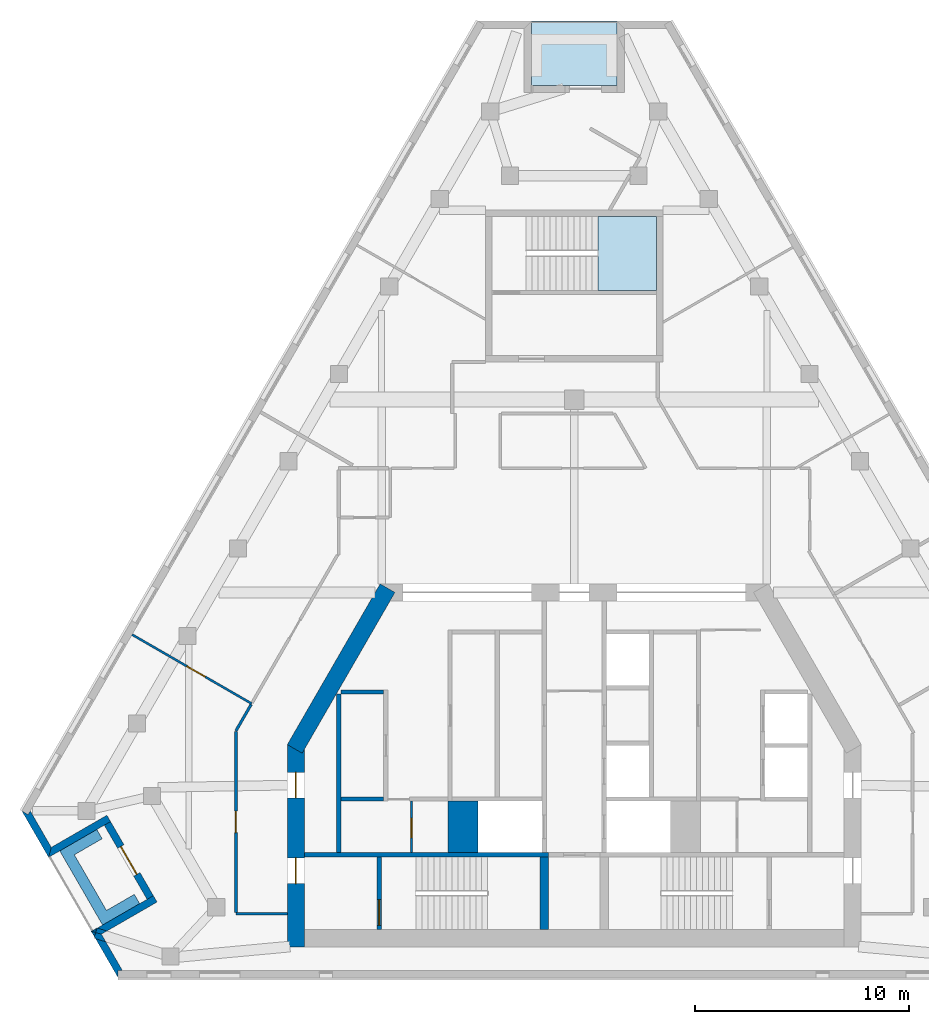
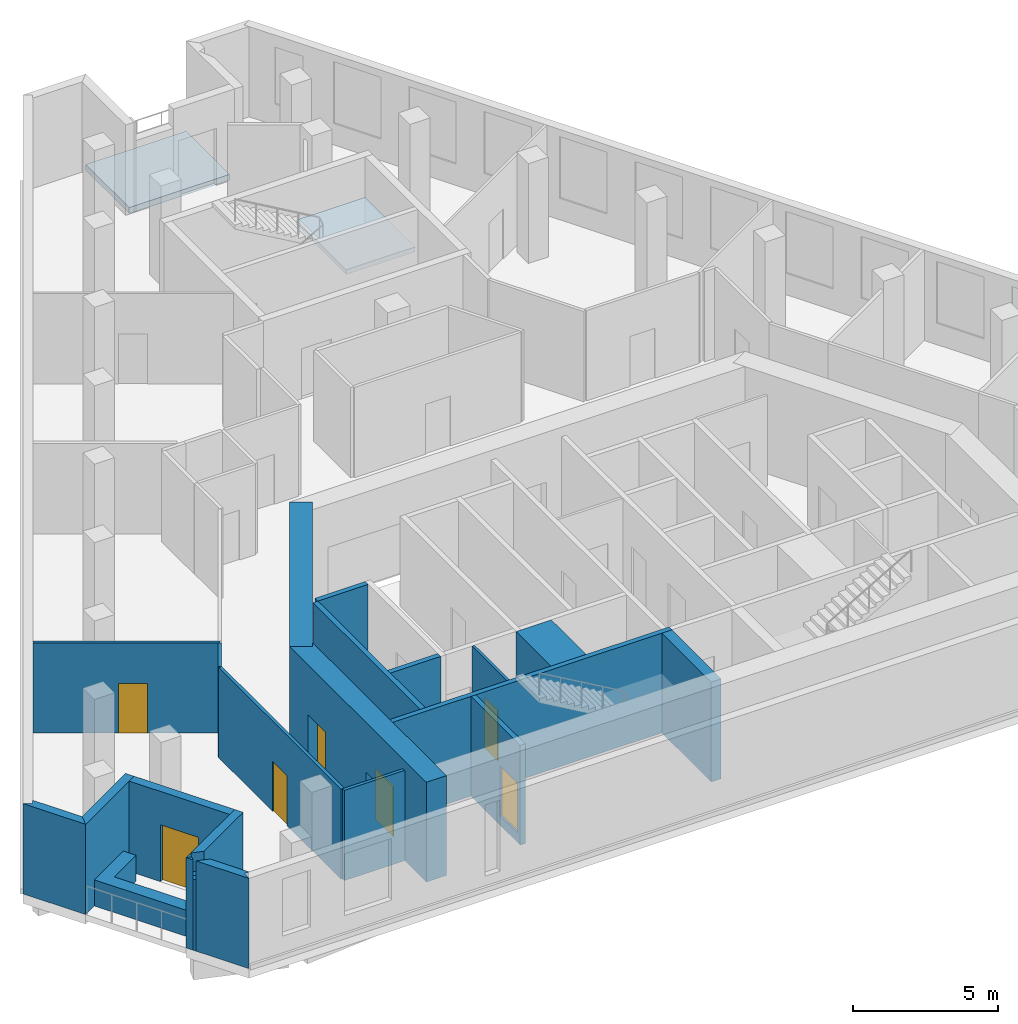
# One storey, part 2 of 8: 24 walls, 7 doors, 2 slabs, 7 openings, 1 element without a shape of its own.
"""IFC4 building model written with IfcOpenShell, lengths in metres."""

from ifc_helpers import new_model, si_unit, direction, frame, frame_2d, origin, place, context, subcontext, project, spatial, polyline, rectangle, outline, extrude, material, layer, layer_set, type_object, element, fill, aggregate, save


model = new_model("IFC4")

# Units and contexts
model_context = context("Model", 3, precision=1e-05, world=origin(), true_north=direction((0.0, 1.0)))
body_context = subcontext(model_context, "Body", "Model", "MODEL_VIEW")
ifc_project = project(units=[si_unit("LENGTHUNIT", "METRE"), si_unit("AREAUNIT", "SQUARE_METRE"), si_unit("VOLUMEUNIT", "CUBIC_METRE"), si_unit("PLANEANGLEUNIT", "RADIAN"), si_unit("MASSUNIT", "GRAM", prefix="KILO")], contexts=[model_context])

# Site, building, storey
site_placement = place(None, origin())
site = spatial("IfcSite", under=ifc_project, at=site_placement, CompositionType="ELEMENT")
building_placement = place(site_placement, origin())
building = spatial("IfcBuilding", under=site, at=building_placement, Name="Fogline Exchange Tower", CompositionType="ELEMENT")
storey_placement = place(building_placement, frame((0.0, 0.0, 266.699951171875)))
storey = spatial("IfcBuildingStorey", under=building, at=storey_placement, Name="L60", CompositionType="ELEMENT", Elevation=266.699951171875)

# Slab
ifc_material_1 = material(Name="Concrete C40", Category="concrete")
ifc_layer_1 = layer(ifc_material_1, 0.25)
ifc_layer_set_1 = layer_set([ifc_layer_1], Name="DK1")
slab_type_1 = type_object("IfcSlabType", Name="DK1", PredefinedType="FLOOR", material=ifc_layer_set_1)
slab_1_placement = place(storey_placement, frame((0.0, 0.0, -0.25)))
element("IfcSlab", 1, at=slab_1_placement, inside=storey, type_object=slab_type_1, Name="Balcony L60 N", PredefinedType="FLOOR", context=body_context, shape_type="SweptSolid", body=[
    extrude(outline(polyline([(2.0, 44.681640625), (-2.0, 44.681640625), (-2.0, 41.681640625), (2.0, 41.681640625), (2.0, 44.681640625)])), origin(), (0.0, 0.0, 1.0), 0.25),
])

# Stair, slab
stair_type = type_object("IfcStairType", Name="STR26-1615", PredefinedType="HALF_TURN_STAIR", material=ifc_material_1)
stair_placement = place(storey_placement, origin())
stair = element("IfcStair", 2, at=stair_placement, inside=storey, type_object=stair_type, Name="Stair ST3", PredefinedType="HALF_TURN_STAIR")
ifc_layer_2 = layer(ifc_material_1, 0.199951171875)
ifc_layer_set_2 = layer_set([ifc_layer_2], Name="SL200")
slab_type_2 = type_object("IfcSlabType", Name="SL200", PredefinedType="LANDING", material=ifc_layer_set_2)
slab_2_placement = place(storey_placement, frame((0.0, 0.0, 1.900146484375)))
slab_2 = element("IfcSlab", 3, at=slab_2_placement, type_object=slab_type_2, Name="ST3 landing 1", PredefinedType="LANDING", context=body_context, shape_type="SweptSolid", body=[
    extrude(outline(polyline([(1.110107421875, 32.10693359375), (3.85009765625, 32.10693359375), (3.85009765625, 35.556884765625), (1.110107421875, 35.556884765625), (1.110107421875, 32.10693359375)])), origin(), (0.0, 0.0, 1.0), 0.199951171875),
])
aggregate(stair, [slab_2])

# Wall, opening, door
ifc_material_2 = material(Name="Blockwork partition", Category="masonry")
ifc_layer_3 = layer(ifc_material_2, 0.10009765625)
ifc_layer_set_3 = layer_set([ifc_layer_3], Name="CW10")
wall_type_1 = type_object("IfcWallType", Name="CW10", PredefinedType="PARTITIONING", material=ifc_layer_set_3)
wall_1_placement = place(storey_placement, frame((-7.60009765625, 5.85009765625, 0.0), z_axis=(0.0, 0.0, 1.0), x_axis=(0.0, 1.0, 0.0)))
wall_1 = element("IfcWall", 4, at=wall_1_placement, inside=storey, type_object=wall_type_1, Name="WC partition", PredefinedType="PARTITIONING", context=body_context, shape_type="SweptSolid", body=[
    extrude(rectangle(XDim=2.39990234375, YDim=0.10009765625, at=frame_2d((1.199951171875, 0.0))), origin(), (0.0, 0.0, 1.0), 3.800048828125),
])
opening_1_placement = place(wall_1_placement, frame((0.699951171875, 0.0, 0.0)))
opening_1 = element("IfcOpeningElement", 5, at=opening_1_placement, cuts=wall_1, Name="Opening T19-C008", PredefinedType="OPENING", context=body_context, shape_type="SweptSolid", body=[
    extrude(rectangle(XDim=0.89990234375, YDim=2.10009765625, at=frame_2d((0.449951171875, 1.050048828125))), frame((0.0, 0.06005859375, 0.0), z_axis=(0.0, -1.0, 0.0), x_axis=(1.0, 0.0, 0.0)), (0.0, 0.0, 1.0), 0.1201171875),
])
ifc_material_3 = material(Name="Steel and timber fire door", Category="steel")
door_type_1 = type_object("IfcDoorType", Name="D-CS1", OperationType="SINGLE_SWING_RIGHT", PredefinedType="DOOR", material=ifc_material_3)
door_1_placement = place(opening_1_placement, frame((0.89990234375, 0.0, 0.0), z_axis=(0.0, 0.0, 1.0), x_axis=(-1.0, 0.0, 0.0)))
door_1 = element("IfcDoor", 6, at=door_1_placement, inside=storey, type_object=door_type_1, Name="Door to Cleaner's Store", OperationType="SINGLE_SWING_RIGHT", OverallHeight=2.10009765625, OverallWidth=0.89990234375, PredefinedType="DOOR", context=body_context, shape_type="SweptSolid", body=[
    extrude(rectangle(XDim=0.89990234375, YDim=2.10009765625, at=frame_2d((0.449951171875, 1.050048828125))), frame((0.0, 0.02490234375, 0.0), z_axis=(0.0, -1.0, 0.0), x_axis=(1.0, 0.0, 0.0)), (0.0, 0.0, 1.0), 0.050048828125),
])
fill(opening_1, door_1)

# Walls
ifc_material_4 = material(Name="Concrete C60", Category="concrete")
ifc_layer_4 = layer(ifc_material_4, 1.39990234375)
ifc_layer_set_4 = layer_set([ifc_layer_4], Name="CW140")
wall_type_2 = type_object("IfcWallType", Name="CW140", PredefinedType="SOLIDWALL", material=ifc_layer_set_4)
wall_2_placement = place(storey_placement, frame((-5.199951171875, 5.85009765625, -0.39990234375), z_axis=(0.0, 0.0, 1.0), x_axis=(0.0, 1.0, 0.0)))
element("IfcWall", 7, at=wall_2_placement, inside=storey, type_object=wall_type_2, Name="Lift shaft block wall", PredefinedType="SOLIDWALL", context=body_context, shape_type="SweptSolid", body=[
    extrude(rectangle(XDim=2.39990234375, YDim=1.39990234375, at=frame_2d((1.199951171875, 0.0))), origin(), (0.0, 0.0, 1.0), 4.199951171875),
])
ifc_layer_5 = layer(ifc_material_1, 0.199951171875)
ifc_layer_set_5 = layer_set([ifc_layer_5], Name="CW20")
wall_type_3 = type_object("IfcWallType", Name="CW20", PredefinedType="SOLIDWALL", material=ifc_layer_set_5)
wall_3_placement = place(storey_placement, frame((-11.0, 5.85009765625, 0.0), z_axis=(0.0, 0.0, 1.0), x_axis=(0.0, 1.0, 0.0)))
element("IfcWall", 8, at=wall_3_placement, inside=storey, type_object=wall_type_3, Name="Service room wall", PredefinedType="SOLIDWALL", context=body_context, shape_type="SweptSolid", body=[
    extrude(rectangle(XDim=7.39990234375, YDim=0.199951171875, at=frame_2d((3.699951171875, 0.0))), origin(), (0.0, 0.0, 1.0), 3.800048828125),
])
ifc_layer_6 = layer(ifc_material_1, 0.199951171875)
ifc_layer_set_6 = layer_set([ifc_layer_6], Name="CW20R")
wall_type_4 = type_object("IfcWallType", Name="CW20R", PredefinedType="SOLIDWALL", material=ifc_layer_set_6)
wall_4_placement = place(storey_placement, frame((-12.60009765625, 5.75, -0.39990234375), z_axis=(0.0, 0.0, 1.0), x_axis=(1.0, 0.0, 0.0)))
element("IfcWall", 9, at=wall_4_placement, inside=storey, type_object=wall_type_4, Name="Stair enclosure wall", PredefinedType="SOLIDWALL", context=body_context, shape_type="SweptSolid", body=[
    extrude(rectangle(XDim=11.400146484375, YDim=0.199951171875, at=frame_2d((5.7001953125, 0.0))), origin(), (0.0, 0.0, 1.0), 4.199951171875),
])

# Wall, opening, door
wall_5_placement = place(storey_placement, frame((-9.10009765625, 2.25, -0.39990234375), z_axis=(0.0, 0.0, 1.0), x_axis=(0.0, 1.0, 0.0)))
wall_5 = element("IfcWall", 10, at=wall_5_placement, inside=storey, type_object=wall_type_4, Name="Stair enclosure wall", PredefinedType="SOLIDWALL", context=body_context, shape_type="SweptSolid", body=[
    extrude(rectangle(XDim=3.39990234375, YDim=0.199951171875, at=frame_2d((1.699951171875, 0.0))), origin(), (0.0, 0.0, 1.0), 4.199951171875),
])
opening_2_placement = place(wall_5_placement, frame((0.199951171875, 0.0, 0.39990234375)))
opening_2 = element("IfcOpeningElement", 11, at=opening_2_placement, cuts=wall_5, Name="Opening T19-C010", PredefinedType="OPENING", context=body_context, shape_type="SweptSolid", body=[
    extrude(rectangle(XDim=1.199951171875, YDim=2.10009765625, at=frame_2d((0.60009765625, 1.050048828125))), frame((0.0, 0.10986328125, 0.0), z_axis=(0.0, -1.0, 0.0), x_axis=(1.0, 0.0, 0.0)), (0.0, 0.0, 1.0), 0.219970703125),
])
door_type_2 = type_object("IfcDoorType", Name="D-ST1", OperationType="SINGLE_SWING_LEFT", PredefinedType="DOOR", material=ifc_material_3)
door_2_placement = place(opening_2_placement, frame((1.199951171875, 0.0, 0.0), z_axis=(0.0, 0.0, 1.0), x_axis=(-1.0, 0.0, 0.0)))
door_2 = element("IfcDoor", 12, at=door_2_placement, inside=storey, type_object=door_type_2, Name="Stair door ST1", OperationType="SINGLE_SWING_RIGHT", OverallHeight=2.10009765625, OverallWidth=1.199951171875, PredefinedType="DOOR", context=body_context, shape_type="SweptSolid", body=[
    extrude(rectangle(XDim=1.199951171875, YDim=2.10009765625, at=frame_2d((0.60009765625, 1.050048828125))), frame((0.0, 0.02490234375, 0.0), z_axis=(0.0, -1.0, 0.0), x_axis=(1.0, 0.0, 0.0)), (0.0, 0.0, 1.0), 0.050048828125),
])
fill(opening_2, door_2)

# Walls
ifc_layer_7 = layer(ifc_material_1, 0.199951171875)
ifc_layer_set_7 = layer_set([ifc_layer_7], Name="CW20S")
wall_type_5 = type_object("IfcWallType", Name="CW20S", PredefinedType="SOLIDWALL", material=ifc_layer_set_7)
for number, where, z_axis, x_axis, name in (
    (13, (-10.89990234375, 8.35009765625, -0.39990234375), (0.0, 0.0, 1.0), (1.0, 0.0, 0.0), "Lift shaft wall"),
    (14, (-10.89990234375, 13.35009765625, -0.39990234375), (0.0, 0.0, 1.0), (1.0, 0.0, 0.0), "Lift shaft wall"),
):
    element("IfcWall", number, at=place(storey_placement, frame(where, z_axis=z_axis, x_axis=x_axis)), inside=storey, type_object=wall_type_5, Name=name, PredefinedType="SOLIDWALL", context=body_context, shape_type="SweptSolid", body=[
        extrude(rectangle(XDim=2.0, YDim=0.199951171875, at=frame_2d((1.0, 0.0))), origin(), (0.0, 0.0, 1.0), 4.199951171875),
    ])
ifc_layer_8 = layer(ifc_material_1, 0.39990234375)
ifc_layer_set_8 = layer_set([ifc_layer_8], Name="CW40R")
wall_type_6 = type_object("IfcWallType", Name="CW40R", PredefinedType="SOLIDWALL", material=ifc_layer_set_8)
wall_6_placement = place(storey_placement, frame((-1.39990234375, 2.25, -0.39990234375), z_axis=(0.0, 0.0, 1.0), x_axis=(0.0, 1.0, 0.0)))
element("IfcWall", 15, at=wall_6_placement, inside=storey, type_object=wall_type_6, Name="Stair and lift shaft wall", PredefinedType="SOLIDWALL", context=body_context, shape_type="SweptSolid", body=[
    extrude(rectangle(XDim=3.39990234375, YDim=0.39990234375, at=frame_2d((1.699951171875, 0.0))), origin(), (0.0, 0.0, 1.0), 4.199951171875),
])
ifc_material_5 = material(Name="Brick masonry", Category="masonry")
ifc_layer_9 = layer(ifc_material_5, 0.340087890625)
ifc_layer_set_9 = layer_set([ifc_layer_9], Name="FW1")
wall_type_7 = type_object("IfcWallType", Name="FW1", PredefinedType="SOLIDWALL", material=ifc_layer_set_9)
wall_7_placement = place(storey_placement, origin())
element("IfcWall", 16, at=wall_7_placement, inside=storey, type_object=wall_type_7, Name="Brick wall L60 SW-c1", PredefinedType="SOLIDWALL", context=body_context, shape_type="SweptSolid", body=[
    extrude(outline(polyline([(-24.546875, 5.6279296875), (-25.798095703125, 7.794921875), (-25.797607421875, 7.79541015625), (-25.502685546875, 7.625), (-25.404296875, 7.79541015625), (-24.421875, 6.09375), (-24.546630859375, 5.6279296875), (-24.546875, 5.6279296875)])), origin(), (0.0, 0.0, 1.0), 3.800048828125),
])
wall_8_placement = place(storey_placement, origin())
element("IfcWall", 17, at=wall_8_placement, inside=storey, type_object=wall_type_7, Name="Brick wall L60 SW-s1", PredefinedType="SOLIDWALL", context=body_context, shape_type="SweptSolid", body=[
    extrude(outline(polyline([(-21.82421875, 7.594482421875), (-21.653564453125, 7.298828125), (-21.948486328125, 7.128662109375), (-24.547607421875, 5.628173828125), (-24.5478515625, 5.62841796875), (-24.423095703125, 6.093994140625), (-21.82421875, 7.594482421875)])), origin(), (0.0, 0.0, 1.0), 3.800048828125),
])

# Wall, opening, door
wall_9_placement = place(storey_placement, frame((-21.8017578125, 7.214111328125, 0.0), z_axis=(0.0, 0.0, 1.0), x_axis=(0.49999894854, -0.866026010844, 0.0)))
wall_9 = element("IfcWall", 18, at=wall_9_placement, inside=storey, type_object=wall_type_7, Name="Brick wall L60 SW-bk", PredefinedType="SOLIDWALL", context=body_context, shape_type="SweptSolid", body=[
    extrude(rectangle(XDim=4.0, YDim=0.340087890625, at=frame_2d((2.0, 0.0))), origin(), (0.0, 0.0, 1.0), 3.800048828125),
])
opening_3_placement = place(wall_9_placement, frame((1.25, 0.0, 0.0)))
opening_3 = element("IfcOpeningElement", 19, at=opening_3_placement, cuts=wall_9, Name="Opening T19-E021", PredefinedType="OPENING", context=body_context, shape_type="SweptSolid", body=[
    extrude(rectangle(XDim=1.5, YDim=2.39990234375, at=frame_2d((0.75, 1.199951171875))), frame((0.0, 0.18017578125, 0.0), z_axis=(0.0, -1.0, 0.0), x_axis=(1.0, 0.0, 0.0)), (0.0, 0.0, 1.0), 0.360107421875),
])
ifc_material_6 = material(Name="Aluminium and glass", Category="aluminium")
door_type_3 = type_object("IfcDoorType", Name="ED4", OperationType="SINGLE_SWING_LEFT", PredefinedType="DOOR", material=ifc_material_6)
door_3_placement = place(opening_3_placement, frame((1.5, 0.0, 0.0), z_axis=(0.0, 0.0, 1.0), x_axis=(-1.0, 0.0, 0.0)))
door_3 = element("IfcDoor", 20, at=door_3_placement, inside=storey, type_object=door_type_3, Name="Balcony door L60 SW", OperationType="DOUBLE_DOOR_SINGLE_SWING", OverallHeight=2.39990234375, OverallWidth=1.5, PredefinedType="DOOR", context=body_context, shape_type="SweptSolid", body=[
    extrude(rectangle(XDim=1.5, YDim=2.39990234375, at=frame_2d((0.75, 1.199951171875))), frame((0.0, 0.02490234375, 0.0), z_axis=(0.0, -1.0, 0.0), x_axis=(1.0, 0.0, 0.0)), (0.0, 0.0, 1.0), 0.050048828125),
])
fill(opening_3, door_3)

# Walls
wall_10_placement = place(storey_placement, origin())
element("IfcWall", 21, at=wall_10_placement, inside=storey, type_object=wall_type_7, Name="Brick wall L60 SW-s2", PredefinedType="SOLIDWALL", context=body_context, shape_type="SweptSolid", body=[
    extrude(outline(polyline([(-22.26953125, 2.325927734375), (-21.826416015625, 2.187744140625), (-22.08251953125, 2.0400390625), (-22.357177734375, 2.113525390625), (-22.295654296875, 2.310791015625), (-22.26953125, 2.325927734375)])), origin(), (0.0, 0.0, 1.0), 3.0),
])
wall_11_placement = place(storey_placement, origin())
element("IfcWall", 22, at=wall_11_placement, inside=storey, type_object=wall_type_7, Name="Brick wall L60 SW-s2", PredefinedType="SOLIDWALL", context=body_context, shape_type="SweptSolid", body=[
    extrude(outline(polyline([(-22.295654296875, 2.310791015625), (-22.357177734375, 2.113525390625), (-22.548095703125, 2.164794921875), (-22.548095703125, 2.1650390625), (-22.295654296875, 2.310791015625)])), origin(), (0.0, 0.0, 1.0), 3.800048828125),
])
wall_12_placement = place(storey_placement, origin())
element("IfcWall", 23, at=wall_12_placement, inside=storey, type_object=wall_type_7, Name="Brick wall L60 SW-s2", PredefinedType="SOLIDWALL", context=body_context, shape_type="SweptSolid", body=[
    extrude(outline(polyline([(-19.94921875, 3.66552734375), (-19.654296875, 3.8359375), (-19.483642578125, 3.540283203125), (-21.826416015625, 2.187744140625), (-22.26953125, 2.325927734375), (-19.94921875, 3.66552734375)])), origin(), (0.0, 0.0, 1.0), 3.800048828125),
])
wall_13_placement = place(storey_placement, origin())
element("IfcWall", 24, at=wall_13_placement, inside=storey, type_object=wall_type_7, Name="Brick wall L60 SW-c2", PredefinedType="SOLIDWALL", context=body_context, shape_type="SweptSolid", body=[
    extrude(outline(polyline([(-22.41357421875, 1.932861328125), (-22.35693359375, 2.11474609375), (-22.08203125, 2.041015625), (-21.872802734375, 1.678466796875), (-22.353271484375, 1.828369140625), (-22.41357421875, 1.932861328125)])), origin(), (0.0, 0.0, 1.0), 3.0),
])
wall_14_placement = place(storey_placement, origin())
element("IfcWall", 25, at=wall_14_placement, inside=storey, type_object=wall_type_7, Name="Brick wall L60 SW-c2", PredefinedType="SOLIDWALL", context=body_context, shape_type="SweptSolid", body=[
    extrude(outline(polyline([(-21.29638671875, 0.33935546875), (-21.29638671875, -0.0009765625), (-21.296875, -0.001220703125), (-22.353271484375, 1.828369140625), (-21.872802734375, 1.678466796875), (-21.099609375, 0.33935546875), (-21.29638671875, 0.33935546875)])), origin(), (0.0, 0.0, 1.0), 3.800048828125),
])
wall_15_placement = place(storey_placement, origin())
element("IfcWall", 26, at=wall_15_placement, inside=storey, type_object=wall_type_7, Name="Brick wall L60 SW-c2", PredefinedType="SOLIDWALL", context=body_context, shape_type="SweptSolid", body=[
    extrude(outline(polyline([(-22.548095703125, 2.165771484375), (-22.5478515625, 2.166015625), (-22.35693359375, 2.11474609375), (-22.41357421875, 1.932861328125), (-22.548095703125, 2.165771484375)])), origin(), (0.0, 0.0, 1.0), 3.800048828125),
])
ifc_material_7 = material(Name="Concrete C30", Category="concrete")
ifc_layer_10 = layer(ifc_material_7, 0.199951171875)
ifc_layer_set_10 = layer_set([ifc_layer_10], Name="PL1")
wall_type_8 = type_object("IfcWallType", Name="PL1", PredefinedType="USERDEFINED", material=ifc_layer_set_10)
wall_16_placement = place(storey_placement, origin())
element("IfcWall", 27, at=wall_16_placement, inside=storey, type_object=wall_type_8, Name="PLANTER balcony L60 SW", ObjectType="PLANTER", PredefinedType="USERDEFINED", context=body_context, shape_type="SweptSolid", body=[
    extrude(outline(polyline([(-20.54541015625, 3.898193359375), (-21.84423828125, 3.148193359375), (-23.34423828125, 5.74609375), (-22.04541015625, 6.49609375), (-22.29541015625, 6.92919921875), (-24.02734375, 5.92919921875), (-23.77734375, 5.49609375), (-22.02734375, 2.465087890625), (-21.59423828125, 2.715087890625), (-21.59423828125, 2.715087890625), (-20.29541015625, 3.465087890625), (-20.54541015625, 3.898193359375)])), origin(), (0.0, 0.0, 1.0), 1.10009765625),
])

# Wall, opening, door
ifc_material_8 = material(Name="Plasterboard partition, 2 layers each side on steel studs", Category="steel")
ifc_layer_11 = layer(ifc_material_8, 0.10009765625)
ifc_layer_set_11 = layer_set([ifc_layer_11], Name="PW1")
wall_type_9 = type_object("IfcWallType", Name="PW1", PredefinedType="PARTITIONING", material=ifc_layer_set_11)
wall_17_placement = place(storey_placement, frame((-15.06591796875, 12.80615234375, 0.0), z_axis=(0.0, 0.0, 1.0), x_axis=(-0.866025414547, 0.499999981359, 0.0)))
wall_17 = element("IfcWall", 28, at=wall_17_placement, inside=storey, type_object=wall_type_9, Name="wall-L60-W038", PredefinedType="PARTITIONING", context=body_context, shape_type="SweptSolid", body=[
    extrude(rectangle(XDim=6.447265625, YDim=0.10009765625, at=frame_2d((3.2236328125, 0.0))), origin(), (0.0, 0.0, 1.0), 3.800048828125),
])
opening_4_placement = place(wall_17_placement, frame((2.498779296875, 0.0, 0.0)))
opening_4 = element("IfcOpeningElement", 29, at=opening_4_placement, cuts=wall_17, Name="Opening T19-D013", PredefinedType="OPENING", context=body_context, shape_type="SweptSolid", body=[
    extrude(rectangle(XDim=1.0, YDim=2.10009765625, at=frame_2d((0.5, 1.050048828125))), frame((0.0, 0.06005859375, 0.0), z_axis=(0.0, -1.0, 0.0), x_axis=(1.0, 0.0, 0.0)), (0.0, 0.0, 1.0), 0.1201171875),
])
ifc_material_9 = material(Name="Timber door leaf with steel frame", Category="steel")
door_type_4 = type_object("IfcDoorType", Name="D1", OperationType="SINGLE_SWING_LEFT", PredefinedType="DOOR", material=ifc_material_9)
door_4_placement = place(opening_4_placement, frame((1.0, 0.0, 0.0), z_axis=(0.0, 0.0, 1.0), x_axis=(-1.0, 0.0, 0.0)))
door_4 = element("IfcDoor", 30, at=door_4_placement, inside=storey, type_object=door_type_4, Name="door-L60-D013", OperationType="SINGLE_SWING_RIGHT", OverallHeight=2.10009765625, OverallWidth=1.0, PredefinedType="DOOR", context=body_context, shape_type="SweptSolid", body=[
    extrude(rectangle(XDim=1.0, YDim=2.10009765625, at=frame_2d((0.5, 1.050048828125))), frame((0.0, 0.02490234375, 0.0), z_axis=(0.0, -1.0, 0.0), x_axis=(1.0, 0.0, 0.0)), (0.0, 0.0, 1.0), 0.050048828125),
])
fill(opening_4, door_4)

# Wall
ifc_material_10 = material(Name="Plasterboard corridor partition with mineral wool, 2 layers each side")
ifc_layer_12 = layer(ifc_material_10, 0.125)
ifc_layer_set_12 = layer_set([ifc_layer_12], Name="PW2")
wall_type_10 = type_object("IfcWallType", Name="PW2", PredefinedType="PARTITIONING", material=ifc_layer_set_12)
wall_18_placement = place(storey_placement, frame((-13.39990234375, 3.0, 0.0), z_axis=(0.0, 0.0, 1.0), x_axis=(-1.0, 0.0, 0.0)))
element("IfcWall", 31, at=wall_18_placement, inside=storey, type_object=wall_type_10, Name="wall-L60-W015", PredefinedType="PARTITIONING", context=body_context, shape_type="SweptSolid", body=[
    extrude(rectangle(XDim=2.400146484375, YDim=0.125, at=frame_2d((1.2001953125, 0.0))), origin(), (0.0, 0.0, 1.0), 3.800048828125),
])

# Wall, opening, door
wall_19_placement = place(storey_placement, frame((-15.800048828125, 3.0625, 0.0), z_axis=(0.0, 0.0, 1.0), x_axis=(0.0, 1.0, 0.0)))
wall_19 = element("IfcWall", 32, at=wall_19_placement, inside=storey, type_object=wall_type_10, Name="wall-L60-W016", PredefinedType="PARTITIONING", context=body_context, shape_type="SweptSolid", body=[
    extrude(rectangle(XDim=8.44140625, YDim=0.125, at=frame_2d((4.220703125, 0.0))), origin(), (0.0, 0.0, 1.0), 3.800048828125),
])
opening_5_placement = place(wall_19_placement, frame((3.720703125, 0.0, 0.0)))
opening_5 = element("IfcOpeningElement", 33, at=opening_5_placement, cuts=wall_19, Name="Opening T19-D009", PredefinedType="OPENING", context=body_context, shape_type="SweptSolid", body=[
    extrude(rectangle(XDim=1.0, YDim=2.10009765625, at=frame_2d((0.5, 1.050048828125))), frame((0.0, 0.072509765625, 0.0), z_axis=(0.0, -1.0, 0.0), x_axis=(1.0, 0.0, 0.0)), (0.0, 0.0, 1.0), 0.14501953125),
])
ifc_material_11 = material(Name="Fire-rated timber door leaf with steel frame", Category="steel")
door_type_5 = type_object("IfcDoorType", Name="D3", OperationType="SINGLE_SWING_LEFT", PredefinedType="DOOR", material=ifc_material_11)
door_5_placement = place(opening_5_placement, origin())
door_5 = element("IfcDoor", 34, at=door_5_placement, inside=storey, type_object=door_type_5, Name="door-L60-D009", OperationType="SINGLE_SWING_LEFT", OverallHeight=2.10009765625, OverallWidth=1.0, PredefinedType="DOOR", context=body_context, shape_type="SweptSolid", body=[
    extrude(rectangle(XDim=1.0, YDim=2.10009765625, at=frame_2d((0.5, 1.050048828125))), frame((0.0, 0.02490234375, 0.0), z_axis=(0.0, -1.0, 0.0), x_axis=(1.0, 0.0, 0.0)), (0.0, 0.0, 1.0), 0.050048828125),
])
fill(opening_5, door_5)

# Walls
wall_20_placement = place(storey_placement, frame((-15.800048828125, 11.534912109375, 0.0), z_axis=(0.0, 0.0, 1.0), x_axis=(0.500010702031, 0.866019224876, 0.0)))
element("IfcWall", 35, at=wall_20_placement, inside=storey, type_object=wall_type_10, Name="wall-L60-W017", PredefinedType="PARTITIONING", context=body_context, shape_type="SweptSolid", body=[
    extrude(rectangle(XDim=1.41748046875, YDim=0.125, at=frame_2d((0.708740234375, 0.0))), origin(), (0.0, 0.0, 1.0), 3.800048828125),
])
ifc_material_12 = material(Name="Concrete C50", Category="concrete")
ifc_layer_13 = layer(ifc_material_12, 0.800048828125)
ifc_layer_set_13 = layer_set([ifc_layer_13], Name="SW04")
wall_type_11 = type_object("IfcWallType", Name="SW04", PredefinedType="SHEAR", material=ifc_layer_set_13)
wall_21_placement = place(storey_placement, frame((-8.71875, 18.199951171875, 0.0), z_axis=(0.0, 0.0, 1.0), x_axis=(-0.500015780397, -0.866016292776, 0.0)))
element("IfcWall", 36, at=wall_21_placement, inside=storey, type_object=wall_type_11, Name="L60-W905", PredefinedType="SHEAR", context=body_context, shape_type="SweptSolid", body=[
    extrude(rectangle(XDim=8.669677734375, YDim=0.800048828125, at=frame_2d((4.3349609375, 0.0))), origin(), (0.0, 0.0, 1.0), 4.199951171875),
])

# Wall, openings, doors
wall_22_placement = place(storey_placement, frame((-13.0, 10.891845703125, 0.0), z_axis=(0.0, 0.0, 1.0), x_axis=(0.0, -1.0, 0.0)))
wall_22 = element("IfcWall", 37, at=wall_22_placement, inside=storey, type_object=wall_type_11, Name="L60-W906", PredefinedType="SHEAR", context=body_context, shape_type="SweptSolid", body=[
    extrude(rectangle(XDim=9.44189453125, YDim=0.800048828125, at=frame_2d((4.720947265625, 0.0))), origin(), (0.0, 0.0, 1.0), 4.199951171875),
])
opening_6_placement = place(wall_22_placement, frame((5.291748046875, 0.0, 0.0)))
opening_6 = element("IfcOpeningElement", 38, at=opening_6_placement, cuts=wall_22, Name="Opening T19-C009", PredefinedType="OPENING", context=body_context, shape_type="SweptSolid", body=[
    extrude(rectangle(XDim=1.199951171875, YDim=2.10009765625, at=frame_2d((0.60009765625, 1.050048828125))), frame((0.0, 0.41015625, 0.0), z_axis=(0.0, -1.0, 0.0), x_axis=(1.0, 0.0, 0.0)), (0.0, 0.0, 1.0), 0.820068359375),
])
opening_7_placement = place(wall_22_placement, frame((1.291748046875, 0.0, 0.0)))
opening_7 = element("IfcOpeningElement", 39, at=opening_7_placement, cuts=wall_22, Name="Opening T19-C011", PredefinedType="OPENING", context=body_context, shape_type="SweptSolid", body=[
    extrude(rectangle(XDim=1.199951171875, YDim=2.10009765625, at=frame_2d((0.60009765625, 1.050048828125))), frame((0.0, 0.41015625, 0.0), z_axis=(0.0, -1.0, 0.0), x_axis=(1.0, 0.0, 0.0)), (0.0, 0.0, 1.0), 0.820068359375),
])
door_type_6 = type_object("IfcDoorType", Name="D-FR1", OperationType="SINGLE_SWING_RIGHT", PredefinedType="DOOR", material=ifc_material_3)
door_6_placement = place(opening_6_placement, origin())
door_6 = element("IfcDoor", 40, at=door_6_placement, inside=storey, type_object=door_type_6, Name="Front room door ST1", OperationType="SINGLE_SWING_LEFT", OverallHeight=2.10009765625, OverallWidth=1.199951171875, PredefinedType="DOOR", context=body_context, shape_type="SweptSolid", body=[
    extrude(rectangle(XDim=1.199951171875, YDim=2.10009765625, at=frame_2d((0.60009765625, 1.050048828125))), frame((0.0, 0.02490234375, 0.0), z_axis=(0.0, -1.0, 0.0), x_axis=(1.0, 0.0, 0.0)), (0.0, 0.0, 1.0), 0.050048828125),
])
fill(opening_6, door_6)
door_type_7 = type_object("IfcDoorType", Name="D-SV1", OperationType="SINGLE_SWING_LEFT", PredefinedType="DOOR", material=ifc_material_3)
door_7_placement = place(opening_7_placement, origin())
door_7 = element("IfcDoor", 41, at=door_7_placement, inside=storey, type_object=door_type_7, Name="Service door W", OperationType="SINGLE_SWING_LEFT", OverallHeight=2.10009765625, OverallWidth=1.199951171875, PredefinedType="DOOR", context=body_context, shape_type="SweptSolid", body=[
    extrude(rectangle(XDim=1.199951171875, YDim=2.10009765625, at=frame_2d((0.60009765625, 1.050048828125))), frame((0.0, 0.02490234375, 0.0), z_axis=(0.0, -1.0, 0.0), x_axis=(1.0, 0.0, 0.0)), (0.0, 0.0, 1.0), 0.050048828125),
])
fill(opening_7, door_7)

save(model, "model.ifc")
